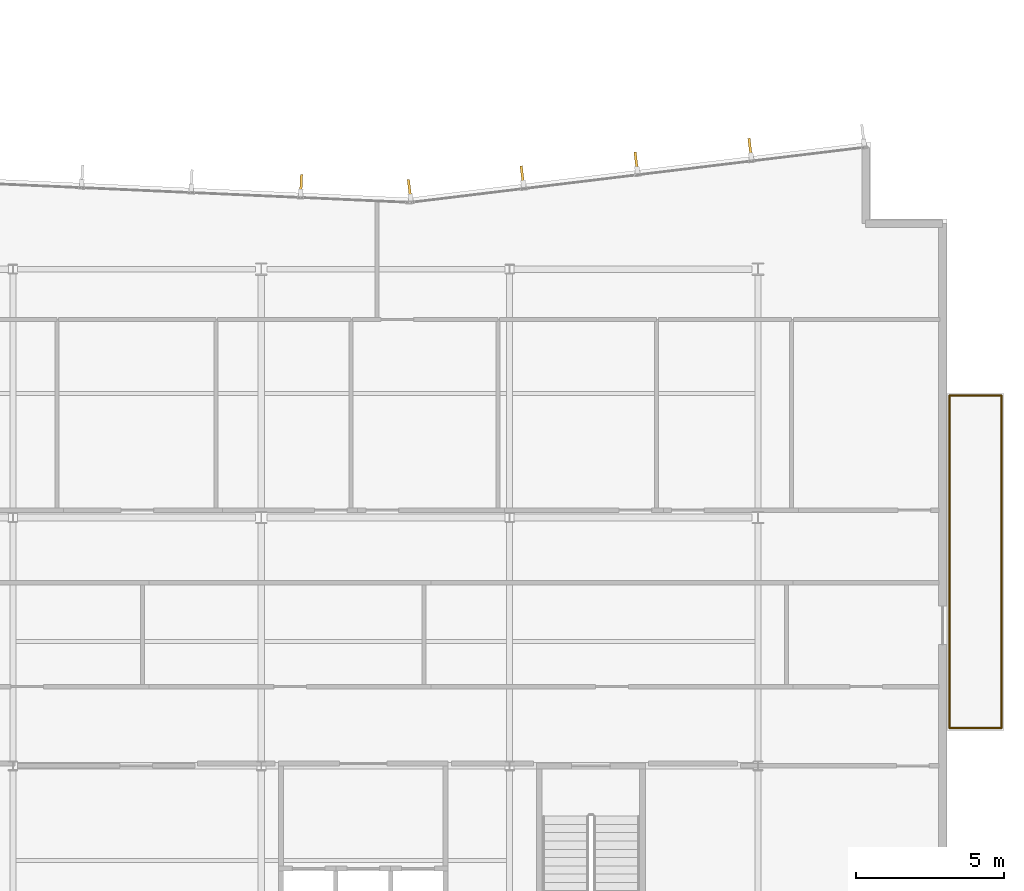
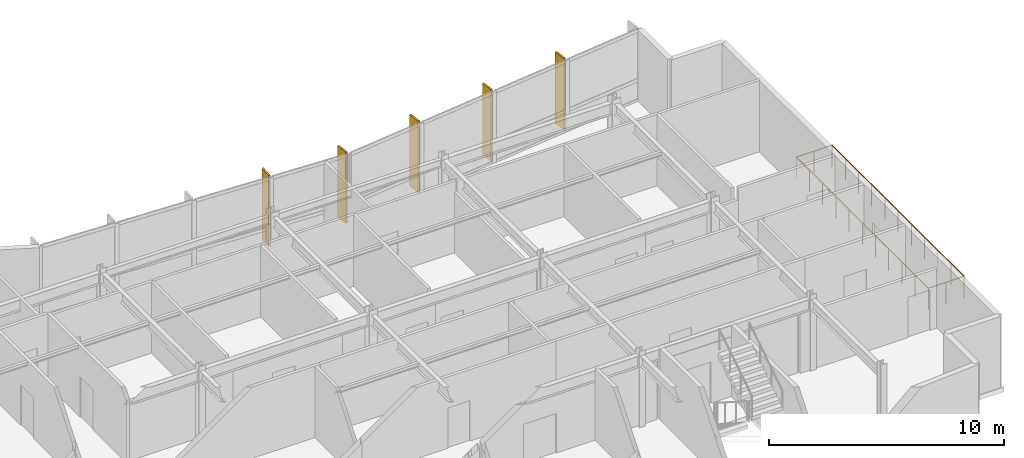
# One storey, part 16 of 18: 5 shading devices, 4 railings.
"""IFC4 building model written with IfcOpenShell, lengths in metres."""

from ifc_helpers import new_model, si_unit, direction, frame, origin, origin_2d, place, context, subcontext, project, spatial, rectangle, circle, extrude, material, layer, layer_set, type_object, element, save


model = new_model("IFC4")

# Units and contexts
model_context = context("Model", 3, precision=1e-05, world=origin(), true_north=direction((0.0, 1.0)))
body_context = subcontext(model_context, "Body", "Model", "MODEL_VIEW")
ifc_project = project(units=[si_unit("LENGTHUNIT", "METRE"), si_unit("AREAUNIT", "SQUARE_METRE"), si_unit("VOLUMEUNIT", "CUBIC_METRE"), si_unit("PLANEANGLEUNIT", "RADIAN"), si_unit("MASSUNIT", "GRAM", prefix="KILO")], contexts=[model_context])

# Site, building, storey
site_placement = place(None, origin())
site = spatial("IfcSite", under=ifc_project, at=site_placement, CompositionType="ELEMENT")
building_placement = place(site_placement, origin())
building = spatial("IfcBuilding", under=site, at=building_placement, Name="Varnakote Quay Hospital", CompositionType="ELEMENT")
storey_placement = place(building_placement, frame((0.0, 0.0, 154.699951171875)))
storey = spatial("IfcBuildingStorey", under=building, at=storey_placement, Name="L38", CompositionType="ELEMENT", Elevation=154.699951171875)

# Railings
ifc_material_1 = material(Name="Anodised aluminium 6063-T6 Bronze", Category="aluminium")
railing_type = type_object("IfcRailingType", Name="RLG-EXT-GUARD-1150", PredefinedType="GUARDRAIL", material=ifc_material_1)
railing_1_placement = place(storey_placement, frame((56.8759765625, 13.280029296875, 0.0)))
element("IfcRailing", 1, at=railing_1_placement, inside=storey, type_object=railing_type, Name="L38 Zigzag Prow Healing Terrace Safety Guard", PredefinedType="GUARDRAIL", context=body_context, shape_type="SweptSolid", body=[
    extrude(circle(Radius=0.02392578125, at=origin_2d()), frame((0.0, 0.0, 1.1259765625), z_axis=(0.0, 1.0, 0.0), x_axis=(-1.0, 0.0, 0.0)), (0.0, 0.0, 1.0), 11.239990234375),
    extrude(circle(Radius=0.02099609375, at=origin_2d()), origin(), (0.0, 0.0, 1.0), 1.101806640625),
    extrude(circle(Radius=0.02099609375, at=origin_2d()), frame((0.0, 1.1240234375, 0.0)), (0.0, 0.0, 1.0), 1.101806640625),
    extrude(circle(Radius=0.02099609375, at=origin_2d()), frame((0.0, 2.248046875, 0.0)), (0.0, 0.0, 1.0), 1.101806640625),
    extrude(circle(Radius=0.02099609375, at=origin_2d()), frame((0.0, 3.3720703125, 0.0)), (0.0, 0.0, 1.0), 1.101806640625),
    extrude(circle(Radius=0.02099609375, at=origin_2d()), frame((0.0, 4.49609375, 0.0)), (0.0, 0.0, 1.0), 1.101806640625),
    extrude(circle(Radius=0.02099609375, at=origin_2d()), frame((0.0, 5.6201171875, 0.0)), (0.0, 0.0, 1.0), 1.101806640625),
    extrude(circle(Radius=0.02099609375, at=origin_2d()), frame((0.0, 6.743896484375, 0.0)), (0.0, 0.0, 1.0), 1.101806640625),
    extrude(circle(Radius=0.02099609375, at=origin_2d()), frame((0.0, 7.867919921875, 0.0)), (0.0, 0.0, 1.0), 1.101806640625),
    extrude(circle(Radius=0.02099609375, at=origin_2d()), frame((0.0, 8.991943359375, 0.0)), (0.0, 0.0, 1.0), 1.101806640625),
    extrude(circle(Radius=0.02099609375, at=origin_2d()), frame((0.0, 10.115966796875, 0.0)), (0.0, 0.0, 1.0), 1.101806640625),
    extrude(circle(Radius=0.02099609375, at=origin_2d()), frame((0.0, 11.239990234375, 0.0)), (0.0, 0.0, 1.0), 1.101806640625),
])
railing_2_placement = place(storey_placement, frame((56.8759765625, 24.52001953125, 0.0)))
element("IfcRailing", 2, at=railing_2_placement, inside=storey, type_object=railing_type, Name="L38 Zigzag Prow Healing Terrace Safety Guard", PredefinedType="GUARDRAIL", context=body_context, shape_type="SweptSolid", body=[
    extrude(circle(Radius=0.02392578125, at=origin_2d()), frame((0.0, 0.0, 1.1259765625), z_axis=(1.0, 0.0, 0.0), x_axis=(0.0, 1.0, 0.0)), (0.0, 0.0, 1.0), 1.763916015625),
    extrude(circle(Radius=0.02099609375, at=origin_2d()), origin(), (0.0, 0.0, 1.0), 1.101806640625),
    extrude(circle(Radius=0.02099609375, at=origin_2d()), frame((0.8818359375, 0.0, 0.0)), (0.0, 0.0, 1.0), 1.101806640625),
    extrude(circle(Radius=0.02099609375, at=origin_2d()), frame((1.763916015625, 0.0, 0.0)), (0.0, 0.0, 1.0), 1.101806640625),
])
railing_3_placement = place(storey_placement, frame((58.639892578125, 24.52001953125, 0.0)))
element("IfcRailing", 3, at=railing_3_placement, inside=storey, type_object=railing_type, Name="L38 Zigzag Prow Healing Terrace Safety Guard", PredefinedType="GUARDRAIL", context=body_context, shape_type="SweptSolid", body=[
    extrude(circle(Radius=0.02392578125, at=origin_2d()), frame((0.0, 0.0, 1.1259765625), z_axis=(0.0, -1.0, 0.0), x_axis=(1.0, 0.0, 0.0)), (0.0, 0.0, 1.0), 11.239990234375),
    extrude(circle(Radius=0.02099609375, at=origin_2d()), origin(), (0.0, 0.0, 1.0), 1.101806640625),
    extrude(circle(Radius=0.02099609375, at=origin_2d()), frame((0.0, -1.1240234375, 0.0)), (0.0, 0.0, 1.0), 1.101806640625),
    extrude(circle(Radius=0.02099609375, at=origin_2d()), frame((0.0, -2.248046875, 0.0)), (0.0, 0.0, 1.0), 1.101806640625),
    extrude(circle(Radius=0.02099609375, at=origin_2d()), frame((0.0, -3.3720703125, 0.0)), (0.0, 0.0, 1.0), 1.101806640625),
    extrude(circle(Radius=0.02099609375, at=origin_2d()), frame((0.0, -4.49609375, 0.0)), (0.0, 0.0, 1.0), 1.101806640625),
    extrude(circle(Radius=0.02099609375, at=origin_2d()), frame((0.0, -5.6201171875, 0.0)), (0.0, 0.0, 1.0), 1.101806640625),
    extrude(circle(Radius=0.02099609375, at=origin_2d()), frame((0.0, -6.743896484375, 0.0)), (0.0, 0.0, 1.0), 1.101806640625),
    extrude(circle(Radius=0.02099609375, at=origin_2d()), frame((0.0, -7.867919921875, 0.0)), (0.0, 0.0, 1.0), 1.101806640625),
    extrude(circle(Radius=0.02099609375, at=origin_2d()), frame((0.0, -8.991943359375, 0.0)), (0.0, 0.0, 1.0), 1.101806640625),
    extrude(circle(Radius=0.02099609375, at=origin_2d()), frame((0.0, -10.115966796875, 0.0)), (0.0, 0.0, 1.0), 1.101806640625),
    extrude(circle(Radius=0.02099609375, at=origin_2d()), frame((0.0, -11.239990234375, 0.0)), (0.0, 0.0, 1.0), 1.101806640625),
])
railing_4_placement = place(storey_placement, frame((58.639892578125, 13.280029296875, 0.0)))
element("IfcRailing", 4, at=railing_4_placement, inside=storey, type_object=railing_type, Name="L38 Zigzag Prow Healing Terrace Safety Guard", PredefinedType="GUARDRAIL", context=body_context, shape_type="SweptSolid", body=[
    extrude(circle(Radius=0.02392578125, at=origin_2d()), frame((0.0, 0.0, 1.1259765625), z_axis=(-1.0, 0.0, 0.0), x_axis=(0.0, -1.0, 0.0)), (0.0, 0.0, 1.0), 1.763916015625),
    extrude(circle(Radius=0.02099609375, at=origin_2d()), origin(), (0.0, 0.0, 1.0), 1.101806640625),
    extrude(circle(Radius=0.02099609375, at=origin_2d()), frame((-0.8818359375, 0.0, 0.0)), (0.0, 0.0, 1.0), 1.101806640625),
    extrude(circle(Radius=0.02099609375, at=origin_2d()), frame((-1.763916015625, 0.0, 0.0)), (0.0, 0.0, 1.0), 1.101806640625),
])

# Shading devices
ifc_material_2 = material(Name="Anodised aluminium 6063-T6 Bronze", Category="aluminium")
ifc_layer = layer(ifc_material_2, 0.0849609375)
ifc_layer_set = layer_set([ifc_layer], Name="Anodised aluminium 6063-T6 Bronze")
shading_device_type = type_object("IfcShadingDeviceType", Name="SHD-BRONZE-FIN-620", PredefinedType="USERDEFINED", material=ifc_layer_set)
for number, where, z_axis, x_axis, name in (
    (5, (50.131103515625, 32.9189453125, 0.0), (0.0, 0.0, 1.0), (0.120310105847, -0.992736358975, 0.0), "L38 Anodised Bronze Vertical Shading FIN"),
    (6, (46.278564453125, 32.4521484375, 0.0), (0.0, 0.0, 1.0), (0.120310105847, -0.992736358975, 0.0), "L38 Anodised Bronze Vertical Shading FIN"),
    (7, (42.426025390625, 31.985107421875, 0.0), (0.0, 0.0, 1.0), (0.120310105847, -0.992736358975, 0.0), "L38 Anodised Bronze Vertical Shading FIN"),
    (8, (38.61083984375, 31.522705078125, 0.0), (0.0, 0.0, 1.0), (0.120310105847, -0.992736358975, 0.0), "L38 Anodised Bronze Vertical Shading FIN"),
    (9, (34.947998046875, 31.68701171875, 0.0), (0.0, 0.0, 1.0), (-0.044839922168, -0.998994184858, 0.0), "L38 Anodised Bronze Vertical Shading FIN"),
):
    element("IfcShadingDevice", number, at=place(storey_placement, frame(where, z_axis=z_axis, x_axis=x_axis)), inside=storey, type_object=shading_device_type, Name=name, ObjectType="FIN", PredefinedType="USERDEFINED", context=body_context, shape_type="SweptSolid", body=[
        extrude(rectangle(XDim=0.6201171875, YDim=0.0849609375, at=origin_2d()), origin(), (0.0, 0.0, 1.0), 3.7099609375),
    ])

save(model, "model.ifc")
